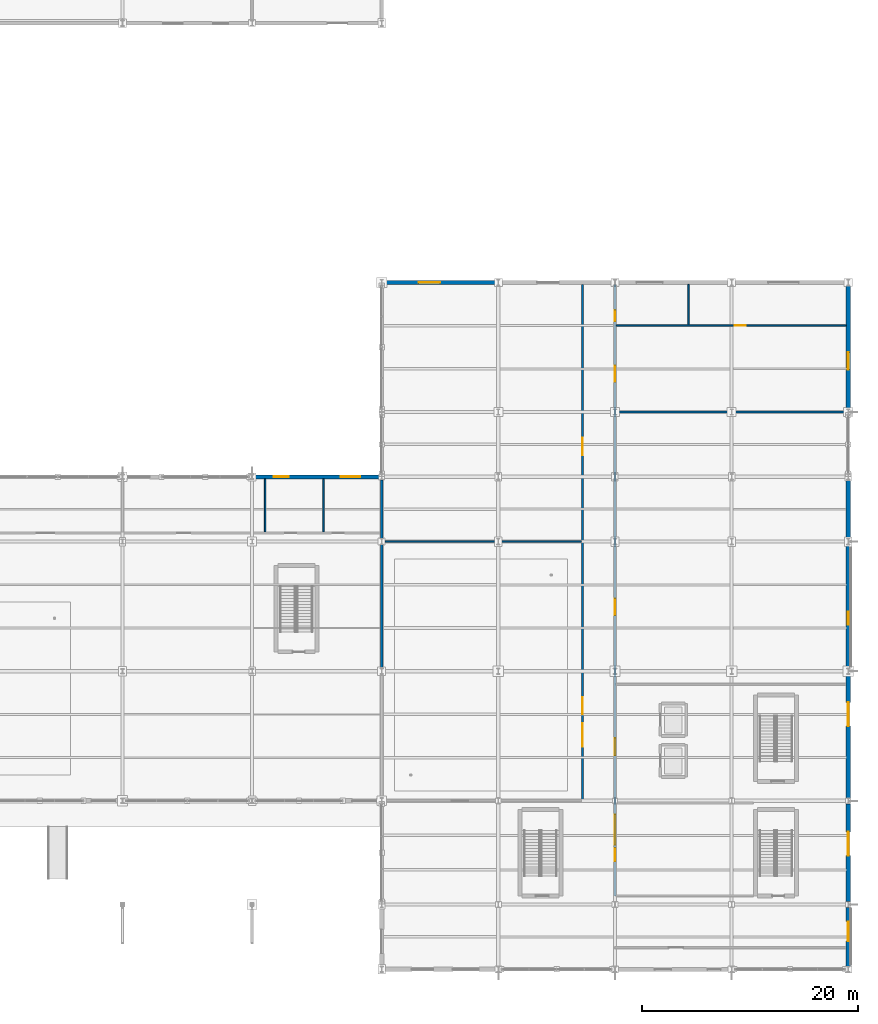
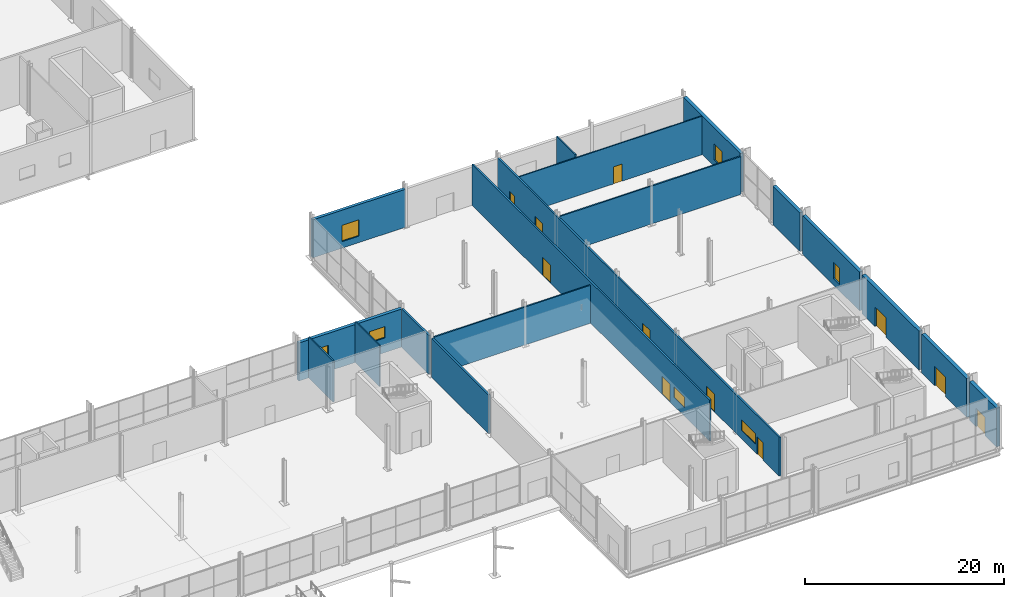
# One storey, part 175 of 196: 18 walls, 11 doors, 7 windows, 18 openings.
"""IFC4 building model written with IfcOpenShell, lengths in metres."""

import ifcopenshell
import ifcopenshell.guid

model = None  # the IFC model being written
_history = None  # IfcOwnerHistory: only IFC2X3 demands one
_inside = {}  # id of a spatial element -> (the spatial element, [elements in it])
_under = {}  # id of a project, library or spatial element -> (it, [spatial elements below it])
_declared = {}  # id of a project -> (the project, [libraries it declares])
_typed = {}  # id of a type object -> (the type object, [elements of that type])
_made_of = {}  # id of a material, layer set ... -> (it, [elements and type objects made of it])


def new_model(schema):
    """Start an empty IFC model of exactly this schema.

    Asked for "IFC4X3", IfcOpenShell would pick the latest addendum, in which some entities
    have other attributes; the version numbers below select the first issue.
    IFC2X3 requires an IfcOwnerHistory on every rooted entity: one is made here for all.
    """
    global model, _history
    if schema == "IFC4X3":
        model = ifcopenshell.file(schema_version=(4, 3, 0, 0))
    else:
        model = ifcopenshell.file(schema=schema)
    _inside.clear()
    _under.clear()
    _declared.clear()
    _typed.clear()
    _made_of.clear()
    _history = None
    if model.schema == "IFC2X3":
        org = make("IfcOrganization", Name="unknown")
        user = make(
            "IfcPersonAndOrganization",
            ThePerson=make("IfcPerson", FamilyName="unknown"),
            TheOrganization=org,
        )
        app = make(
            "IfcApplication",
            ApplicationDeveloper=org,
            Version="unknown",
            ApplicationFullName="unknown",
            ApplicationIdentifier="unknown",
        )
        _history = make(
            "IfcOwnerHistory",
            OwningUser=user,
            OwningApplication=app,
            ChangeAction="ADDED",
            CreationDate=0,
        )
    return model


def make(cls, **values):
    """One entity of the class cls with the attributes given. An attribute that is None is left unset."""
    return model.create_entity(
        cls, **{name: value for name, value in values.items() if value is not None}
    )


def rooted(cls, **values):
    """An entity with a GlobalId (a new one), such as an element, a storey or a relation."""
    return make(cls, GlobalId=ifcopenshell.guid.new(), OwnerHistory=_history, **values)


def si_unit(unit_type, name, prefix=None):
    """IfcSIUnit, for example si_unit("LENGTHUNIT", "METRE", prefix="MILLI")."""
    return make("IfcSIUnit", UnitType=unit_type, Prefix=prefix, Name=name)


def assignment(units):
    """IfcUnitAssignment: the units of a project."""
    return None if units is None else make("IfcUnitAssignment", Units=units)


def point(xyz):
    """IfcCartesianPoint."""
    return None if xyz is None else make("IfcCartesianPoint", Coordinates=xyz)


def direction(xyz):
    """IfcDirection."""
    return None if xyz is None else make("IfcDirection", DirectionRatios=xyz)


def frame(location, z_axis=None, x_axis=None):
    """IfcAxis2Placement3D, a coordinate frame: its origin and axes. An axis left out is left unset."""
    return make(
        "IfcAxis2Placement3D",
        Location=point(location),
        Axis=direction(z_axis),
        RefDirection=direction(x_axis),
    )


def frame_2d(location, x_axis=None):
    """IfcAxis2Placement2D, a coordinate frame in the plane: its origin and x axis."""
    return make(
        "IfcAxis2Placement2D", Location=point(location), RefDirection=direction(x_axis)
    )


def origin():
    """The frame at (0, 0, 0) with its axes left unset."""
    return frame((0.0, 0.0, 0.0))


def place(relative_to, where):
    """IfcLocalPlacement: puts the frame where relative to a parent placement (None: the world)."""
    return make(
        "IfcLocalPlacement", PlacementRelTo=relative_to, RelativePlacement=where
    )


def context(
    kind, dimensions, precision=None, world=None, true_north=None, identifier=None
):
    """IfcGeometricRepresentationContext, for example the 3D "Model" context."""
    return make(
        "IfcGeometricRepresentationContext",
        ContextIdentifier=identifier,
        ContextType=kind,
        CoordinateSpaceDimension=dimensions,
        Precision=precision,
        WorldCoordinateSystem=world,
        TrueNorth=true_north,
    )


def subcontext(parent, identifier, kind, view, scale=None):
    """IfcGeometricRepresentationSubContext, for example "Body" below "Model"."""
    return make(
        "IfcGeometricRepresentationSubContext",
        ContextIdentifier=identifier,
        ContextType=kind,
        ParentContext=parent,
        TargetScale=scale,
        TargetView=view,
    )


def project(units=None, contexts=None):
    """IfcProject with its units and contexts."""
    return rooted(
        "IfcProject",
        Name="project",
        RepresentationContexts=contexts,
        UnitsInContext=assignment(units),
    )


def spatial(cls, under=None, at=None, **own):
    """A site, building, storey or space (cls), placed at a placement, below another one or the project."""
    s = rooted(cls, ObjectPlacement=at, **own)
    if under is not None:
        _under.setdefault(under.id(), (under, []))[1].append(s)
    return s


def profile(cls, at=None, kind="AREA", **sizes):
    """A parametric profile (cls). Its sizes go by their IFC names, for example OverallWidth=200.0."""
    return make(cls, ProfileType=kind, Position=at, **sizes)


def rectangle(**sizes):
    """IfcRectangleProfileDef."""
    return profile("IfcRectangleProfileDef", **sizes)


def extrude(swept, where, along, depth):
    """IfcExtrudedAreaSolid: the profile swept, set in the frame where, extruded along a direction by depth."""
    return make(
        "IfcExtrudedAreaSolid",
        SweptArea=swept,
        Position=where,
        ExtrudedDirection=direction(along),
        Depth=depth,
    )


def shape(context_of_items, identifier, shape_type, items):
    """IfcShapeRepresentation: the items that make up one representation, for example the "Body"."""
    return make(
        "IfcShapeRepresentation",
        ContextOfItems=context_of_items,
        RepresentationIdentifier=identifier,
        RepresentationType=shape_type,
        Items=items,
    )


def material(Name=None, Category=None):
    """IfcMaterial."""
    return make("IfcMaterial", Name=Name, Category=Category)


def layer(
    of_material, thickness, ventilated=None, Name=None, Category=None, Priority=None
):
    """IfcMaterialLayer: one layer of a wall or slab, of a material (None: an air gap)."""
    return make(
        "IfcMaterialLayer",
        Material=of_material,
        LayerThickness=thickness,
        IsVentilated=ventilated,
        Name=Name,
        Category=Category,
        Priority=Priority,
    )


def layer_set(layers, Name=None):
    """IfcMaterialLayerSet."""
    return make("IfcMaterialLayerSet", MaterialLayers=layers, LayerSetName=Name)


def made_of(thing, what):
    """Note that an element or type object is made of a material, layer set ...; save() writes the relation."""
    if what is not None:
        _made_of.setdefault(what.id(), (what, []))[1].append(thing)
    return thing


def type_object(cls, material=None, **own):
    """A type object (cls), such as IfcWallType, which elements share."""
    return made_of(rooted(cls, **own), material)


def element(
    cls,
    number,
    at=None,
    inside=None,
    cuts=None,
    type_object=None,
    material=None,
    context=None,
    identifier="Body",
    shape_type=None,
    held_by="IfcProductDefinitionShape",
    body=None,
    shapes=None,
    **own,
):
    """One element of the class cls, such as IfcWall. Its Tag is "e" and its number.

    at: its placement. inside: the storey or other place that contains it. cuts: it is an
    opening in that element (IfcRelVoidsElement). A single representation is given by context,
    identifier, shape_type and body (its items); several are given by shapes. held_by: the class
    of the entity that holds the representations. save() writes the other relations.
    """
    e = rooted(cls, Tag="e%d" % number, ObjectPlacement=at, **own)
    if body is not None:
        shapes = [shape(context, identifier, shape_type, body)]
    if shapes is not None:
        e.Representation = make(held_by, Representations=shapes)
    if inside is not None:
        _inside.setdefault(inside.id(), (inside, []))[1].append(e)
    if cuts is not None:
        rooted(
            "IfcRelVoidsElement", RelatingBuildingElement=cuts, RelatedOpeningElement=e
        )
    if type_object is not None:
        _typed.setdefault(type_object.id(), (type_object, []))[1].append(e)
    return made_of(e, material)


def fill(opening, filler):
    """IfcRelFillsElement: the door or window that sits in an opening."""
    return rooted(
        "IfcRelFillsElement",
        RelatingOpeningElement=opening,
        RelatedBuildingElement=filler,
    )


def aggregate(whole, parts):
    """IfcRelAggregates: a whole, such as a stair, and the parts it consists of."""
    return rooted("IfcRelAggregates", RelatingObject=whole, RelatedObjects=parts)


def save(model, path):
    """Write the relations noted so far, then the file.

    IfcRelAggregates (storeys below a building ...), IfcRelContainedInSpatialStructure (elements
    in a storey), IfcRelDefinesByType, IfcRelAssociatesMaterial and IfcRelDeclares: one each for
    every whole, place, type object, material and project.
    """
    for whole, parts in _under.values():
        aggregate(whole, parts)
    for where, things in _inside.values():
        rooted(
            "IfcRelContainedInSpatialStructure",
            RelatedElements=things,
            RelatingStructure=where,
        )
    for kind, things in _typed.values():
        rooted("IfcRelDefinesByType", RelatedObjects=things, RelatingType=kind)
    for what, things in _made_of.values():
        rooted("IfcRelAssociatesMaterial", RelatedObjects=things, RelatingMaterial=what)
    for by, libraries in _declared.values():
        rooted("IfcRelDeclares", RelatingContext=by, RelatedDefinitions=libraries)
    model.write(path)


model = new_model("IFC4")

# Units and contexts
model_context = context("Model", 3, precision=1e-05, world=origin(), true_north=direction((0.0, 1.0)))
body_context = subcontext(model_context, "Body", "Model", "MODEL_VIEW")
ifc_project = project(units=[si_unit("LENGTHUNIT", "METRE"), si_unit("AREAUNIT", "SQUARE_METRE"), si_unit("VOLUMEUNIT", "CUBIC_METRE"), si_unit("PLANEANGLEUNIT", "RADIAN"), si_unit("MASSUNIT", "GRAM", prefix="KILO")], contexts=[model_context])

# Site, building, storey
site_placement = place(None, origin())
site = spatial("IfcSite", under=ifc_project, at=site_placement, CompositionType="ELEMENT")
building_placement = place(site_placement, origin())
building = spatial("IfcBuilding", under=site, at=building_placement, Name="Merenkruunu Market Hall", CompositionType="ELEMENT")
storey_placement = place(building_placement, origin())
storey = spatial("IfcBuildingStorey", under=building, at=storey_placement, Name="L00", CompositionType="ELEMENT", Elevation=0.0)

# Wall, opening, door
ifc_material_1 = material(Name="Kuru grey granite", Category="masonry")
ifc_layer_1 = layer(ifc_material_1, 0.419921875)
ifc_layer_set_1 = layer_set([ifc_layer_1], Name="Kuru grey granite")
wall_type_1 = type_object("IfcWallType", Name="Exterior Envelope Wall EW01", PredefinedType="STANDARD", material=ifc_layer_set_1)
wall_1_placement = place(storey_placement, frame((192.0, 5.720947265625, 0.0), z_axis=(0.0, 0.0, 1.0), x_axis=(0.0, -1.0, 0.0)))
wall_1 = element("IfcWall", 1, at=wall_1_placement, inside=storey, type_object=wall_type_1, Name="WALL-EXT-L00-0059", PredefinedType="STANDARD", context=body_context, shape_type="SweptSolid", body=[
    extrude(rectangle(XDim=5.44189453125, YDim=0.419921875, at=frame_2d((2.720947265625, 0.0))), origin(), (0.0, 0.0, 1.0), 4.764892578125),
])
opening_1_placement = place(wall_1_placement, frame((1.300048828125, 0.0, 0.0)))
opening_1 = element("IfcOpeningElement", 2, at=opening_1_placement, cuts=wall_1, Name="Opening EXD04", PredefinedType="OPENING", context=body_context, shape_type="SweptSolid", body=[
    extrude(rectangle(XDim=1.800048828125, YDim=2.300048828125, at=frame_2d((0.89990234375, 1.14990234375))), frame((0.0, 0.219970703125, 0.0), z_axis=(0.0, -1.0, 0.0), x_axis=(1.0, 0.0, 0.0)), (0.0, 0.0, 1.0), 0.43994140625),
])
ifc_material_2 = material(Name="Powder-coated aluminium", Category="aluminium")
door_type_1 = type_object("IfcDoorType", Name="Pedestrian Exit Door EXD04", OperationType="NOTDEFINED", PredefinedType="DOOR", material=ifc_material_2)
door_1_placement = place(opening_1_placement, origin())
door_1 = element("IfcDoor", 3, at=door_1_placement, inside=storey, type_object=door_type_1, Name="EX-27", OperationType="DOUBLE_DOOR_SINGLE_SWING", OverallHeight=2.300048828125, OverallWidth=1.800048828125, PredefinedType="DOOR", context=body_context, shape_type="SweptSolid", body=[
    extrude(rectangle(XDim=1.800048828125, YDim=2.300048828125, at=frame_2d((0.89990234375, 1.14990234375))), frame((0.0, 0.02490234375, 0.0), z_axis=(0.0, -1.0, 0.0), x_axis=(1.0, 0.0, 0.0)), (0.0, 0.0, 1.0), 0.050048828125),
])
fill(opening_1, door_1)

wall_2_placement = place(storey_placement, frame((192.0, 15.321044921875, 0.0), z_axis=(0.0, 0.0, 1.0), x_axis=(0.0, -1.0, 0.0)))
wall_2 = element("IfcWall", 4, at=wall_2_placement, inside=storey, type_object=wall_type_1, Name="WALL-EXT-L00-0060", PredefinedType="STANDARD", context=body_context, shape_type="SweptSolid", body=[
    extrude(rectangle(XDim=9.0419921875, YDim=0.419921875, at=frame_2d((4.52099609375, 0.0))), origin(), (0.0, 0.0, 1.0), 4.764892578125),
])
opening_2_placement = place(wall_2_placement, frame((2.60009765625, 0.0, 0.0)))
opening_2 = element("IfcOpeningElement", 5, at=opening_2_placement, cuts=wall_2, Name="Opening EXD02", PredefinedType="OPENING", context=body_context, shape_type="SweptSolid", body=[
    extrude(rectangle(XDim=2.199951171875, YDim=2.39990234375, at=frame_2d((1.10009765625, 1.199951171875))), frame((0.0, 0.219970703125, 0.0), z_axis=(0.0, -1.0, 0.0), x_axis=(1.0, 0.0, 0.0)), (0.0, 0.0, 1.0), 0.43994140625),
])
door_type_2 = type_object("IfcDoorType", Name="Pedestrian Exit Door EXD02", OperationType="NOTDEFINED", PredefinedType="DOOR", material=ifc_material_2)
door_2_placement = place(opening_2_placement, origin())
door_2 = element("IfcDoor", 6, at=door_2_placement, inside=storey, type_object=door_type_2, Name="EX-28", OperationType="DOUBLE_DOOR_SINGLE_SWING", OverallHeight=2.39990234375, OverallWidth=2.199951171875, PredefinedType="DOOR", context=body_context, shape_type="SweptSolid", body=[
    extrude(rectangle(XDim=2.199951171875, YDim=2.39990234375, at=frame_2d((1.10009765625, 1.199951171875))), frame((0.0, 0.02490234375, 0.0), z_axis=(0.0, -1.0, 0.0), x_axis=(1.0, 0.0, 0.0)), (0.0, 0.0, 1.0), 0.050048828125),
])
fill(opening_2, door_2)

wall_3_placement = place(storey_placement, frame((192.0, 27.321044921875, 0.0), z_axis=(0.0, 0.0, 1.0), x_axis=(0.0, -1.0, 0.0)))
wall_3 = element("IfcWall", 7, at=wall_3_placement, inside=storey, type_object=wall_type_1, Name="WALL-EXT-L00-0061", PredefinedType="STANDARD", context=body_context, shape_type="SweptSolid", body=[
    extrude(rectangle(XDim=11.442138671875, YDim=0.419921875, at=frame_2d((5.72119140625, 0.0))), origin(), (0.0, 0.0, 1.0), 4.764892578125),
])
opening_3_placement = place(wall_3_placement, frame((2.60009765625, 0.0, 0.0)))
opening_3 = element("IfcOpeningElement", 8, at=opening_3_placement, cuts=wall_3, Name="Opening EXD02", PredefinedType="OPENING", context=body_context, shape_type="SweptSolid", body=[
    extrude(rectangle(XDim=2.199951171875, YDim=2.39990234375, at=frame_2d((1.10009765625, 1.199951171875))), frame((0.0, 0.219970703125, 0.0), z_axis=(0.0, -1.0, 0.0), x_axis=(1.0, 0.0, 0.0)), (0.0, 0.0, 1.0), 0.43994140625),
])
door_3_placement = place(opening_3_placement, origin())
door_3 = element("IfcDoor", 9, at=door_3_placement, inside=storey, type_object=door_type_2, Name="EX-29", OperationType="DOUBLE_DOOR_SINGLE_SWING", OverallHeight=2.39990234375, OverallWidth=2.199951171875, PredefinedType="DOOR", context=body_context, shape_type="SweptSolid", body=[
    extrude(rectangle(XDim=2.199951171875, YDim=2.39990234375, at=frame_2d((1.10009765625, 1.199951171875))), frame((0.0, 0.02490234375, 0.0), z_axis=(0.0, -1.0, 0.0), x_axis=(1.0, 0.0, 0.0)), (0.0, 0.0, 1.0), 0.050048828125),
])
fill(opening_3, door_3)

# Wall, openings, windows
ifc_material_3 = material(Name="Precast concrete C40/50", Category="concrete")
ifc_layer_2 = layer(ifc_material_3, 0.3798828125)
ifc_layer_set_2 = layer_set([ifc_layer_2], Name="Precast concrete C40/50")
wall_type_2 = type_object("IfcWallType", Name="Exterior Envelope Wall EW02", PredefinedType="STANDARD", material=ifc_layer_set_2)
wall_4_placement = place(storey_placement, frame((136.809814453125, 45.60009765625, 0.0), z_axis=(0.0, 0.0, 1.0), x_axis=(1.0, 0.0, 0.0)))
wall_4 = element("IfcWall", 10, at=wall_4_placement, inside=storey, type_object=wall_type_2, Name="WALL-EXT-L00-0038", PredefinedType="STANDARD", context=body_context, shape_type="SweptSolid", body=[
    extrude(rectangle(XDim=11.97998046875, YDim=0.3798828125, at=frame_2d((5.989990234375, 0.0))), origin(), (0.0, 0.0, 1.0), 4.6650390625),
])
opening_4_placement = place(wall_4_placement, frame((2.0, 0.0, 1.800048828125)))
opening_4 = element("IfcOpeningElement", 11, at=opening_4_placement, cuts=wall_4, Name="Opening WN13", PredefinedType="OPENING", context=body_context, shape_type="SweptSolid", body=[
    extrude(rectangle(XDim=1.39990234375, YDim=1.39990234375, at=frame_2d((0.699951171875, 0.699951171875))), frame((0.0, 0.199951171875, 0.0), z_axis=(0.0, -1.0, 0.0), x_axis=(1.0, 0.0, 0.0)), (0.0, 0.0, 1.0), 0.39990234375),
])
opening_5_placement = place(wall_4_placement, frame((8.199951171875, 0.0, 1.800048828125)))
opening_5 = element("IfcOpeningElement", 12, at=opening_5_placement, cuts=wall_4, Name="Opening WN14", PredefinedType="OPENING", context=body_context, shape_type="SweptSolid", body=[
    extrude(rectangle(XDim=1.800048828125, YDim=1.39990234375, at=frame_2d((0.89990234375, 0.699951171875))), frame((0.0, 0.199951171875, 0.0), z_axis=(0.0, -1.0, 0.0), x_axis=(1.0, 0.0, 0.0)), (0.0, 0.0, 1.0), 0.39990234375),
])
ifc_material_4 = material(Name="Triple low-E insulated glass", Category="glass")
ifc_layer_3 = layer(ifc_material_4, 0.06005859375)
ifc_layer_set_3 = layer_set([ifc_layer_3], Name="Triple low-E insulated glass")
window_type_1 = type_object("IfcWindowType", Name="Exterior Window WN13", PartitioningType="SINGLE_PANEL", PredefinedType="WINDOW", material=ifc_layer_set_3)
window_1_placement = place(opening_4_placement, origin())
window_1 = element("IfcWindow", 13, at=window_1_placement, inside=storey, type_object=window_type_1, Name="WIN-L00-0010", OverallHeight=1.39990234375, OverallWidth=1.39990234375, PartitioningType="SINGLE_PANEL", PredefinedType="WINDOW", context=body_context, shape_type="SweptSolid", body=[
    extrude(rectangle(XDim=1.39990234375, YDim=1.39990234375, at=frame_2d((0.699951171875, 0.699951171875))), frame((0.0, 0.030029296875, 0.0), z_axis=(0.0, -1.0, 0.0), x_axis=(1.0, 0.0, 0.0)), (0.0, 0.0, 1.0), 0.06005859375),
])
fill(opening_4, window_1)
ifc_layer_4 = layer(ifc_material_4, 0.06005859375)
ifc_layer_set_4 = layer_set([ifc_layer_4], Name="Triple low-E insulated glass")
window_type_2 = type_object("IfcWindowType", Name="Exterior Window WN14", PartitioningType="SINGLE_PANEL", PredefinedType="WINDOW", material=ifc_layer_set_4)
window_2_placement = place(opening_5_placement, origin())
window_2 = element("IfcWindow", 14, at=window_2_placement, inside=storey, type_object=window_type_2, Name="WIN-L00-0011", OverallHeight=1.39990234375, OverallWidth=1.800048828125, PartitioningType="SINGLE_PANEL", PredefinedType="WINDOW", context=body_context, shape_type="SweptSolid", body=[
    extrude(rectangle(XDim=1.800048828125, YDim=1.39990234375, at=frame_2d((0.89990234375, 0.699951171875))), frame((0.0, 0.030029296875, 0.0), z_axis=(0.0, -1.0, 0.0), x_axis=(1.0, 0.0, 0.0)), (0.0, 0.0, 1.0), 0.06005859375),
])
fill(opening_5, window_2)

# Wall, opening, window
wall_5_placement = place(storey_placement, frame((192.0, 39.321044921875, 0.0), z_axis=(0.0, 0.0, 1.0), x_axis=(0.0, -1.0, 0.0)))
wall_5 = element("IfcWall", 15, at=wall_5_placement, inside=storey, type_object=wall_type_2, Name="WALL-EXT-L00-0062", PredefinedType="STANDARD", context=body_context, shape_type="SweptSolid", body=[
    extrude(rectangle(XDim=11.442138671875, YDim=0.3798828125, at=frame_2d((5.72119140625, 0.0))), origin(), (0.0, 0.0, 1.0), 4.764892578125),
])
opening_6_placement = place(wall_5_placement, frame((6.199951171875, 0.0, 0.800048828125)))
opening_6 = element("IfcOpeningElement", 16, at=opening_6_placement, cuts=wall_5, Name="Opening WN08", PredefinedType="OPENING", context=body_context, shape_type="SweptSolid", body=[
    extrude(rectangle(XDim=1.199951171875, YDim=2.0, at=frame_2d((0.60009765625, 1.0))), frame((0.0, 0.199951171875, 0.0), z_axis=(0.0, -1.0, 0.0), x_axis=(1.0, 0.0, 0.0)), (0.0, 0.0, 1.0), 0.39990234375),
])
ifc_layer_5 = layer(ifc_material_4, 0.06005859375)
ifc_layer_set_5 = layer_set([ifc_layer_5], Name="Triple low-E insulated glass")
window_type_3 = type_object("IfcWindowType", Name="Exterior Window WN08", PartitioningType="SINGLE_PANEL", PredefinedType="WINDOW", material=ifc_layer_set_5)
window_3_placement = place(opening_6_placement, origin())
window_3 = element("IfcWindow", 17, at=window_3_placement, inside=storey, type_object=window_type_3, Name="WIN-L00-0022", OverallHeight=2.0, OverallWidth=1.199951171875, PartitioningType="SINGLE_PANEL", PredefinedType="WINDOW", context=body_context, shape_type="SweptSolid", body=[
    extrude(rectangle(XDim=1.199951171875, YDim=2.0, at=frame_2d((0.60009765625, 1.0))), frame((0.0, 0.030029296875, 0.0), z_axis=(0.0, -1.0, 0.0), x_axis=(1.0, 0.0, 0.0)), (0.0, 0.0, 1.0), 0.06005859375),
])
fill(opening_6, window_3)

# Wall
wall_6_placement = place(storey_placement, frame((192.0, 45.325927734375, 0.0), z_axis=(0.0, 0.0, 1.0), x_axis=(0.0, -1.0, 0.0)))
element("IfcWall", 18, at=wall_6_placement, inside=storey, type_object=wall_type_2, Name="WALL-EXT-L00-0063", PredefinedType="STANDARD", context=body_context, shape_type="SweptSolid", body=[
    extrude(rectangle(XDim=5.447021484375, YDim=0.3798828125, at=frame_2d((2.7236328125, 0.0))), origin(), (0.0, 0.0, 1.0), 4.764892578125),
])

# Wall, opening, window
wall_7_placement = place(storey_placement, frame((192.0, 63.325927734375, 0.0), z_axis=(0.0, 0.0, 1.0), x_axis=(0.0, -1.0, 0.0)))
wall_7 = element("IfcWall", 19, at=wall_7_placement, inside=storey, type_object=wall_type_2, Name="WALL-EXT-L00-0064", PredefinedType="STANDARD", context=body_context, shape_type="SweptSolid", body=[
    extrude(rectangle(XDim=11.451904296875, YDim=0.3798828125, at=frame_2d((5.72607421875, 0.0))), origin(), (0.0, 0.0, 1.0), 4.764892578125),
])
opening_7_placement = place(wall_7_placement, frame((6.199951171875, 0.0, 0.800048828125)))
opening_7 = element("IfcOpeningElement", 20, at=opening_7_placement, cuts=wall_7, Name="Opening WN09", PredefinedType="OPENING", context=body_context, shape_type="SweptSolid", body=[
    extrude(rectangle(XDim=1.60009765625, YDim=2.0, at=frame_2d((0.800048828125, 1.0))), frame((0.0, 0.199951171875, 0.0), z_axis=(0.0, -1.0, 0.0), x_axis=(1.0, 0.0, 0.0)), (0.0, 0.0, 1.0), 0.39990234375),
])
ifc_layer_6 = layer(ifc_material_4, 0.06005859375)
ifc_layer_set_6 = layer_set([ifc_layer_6], Name="Triple low-E insulated glass")
window_type_4 = type_object("IfcWindowType", Name="Exterior Window WN09", PartitioningType="SINGLE_PANEL", PredefinedType="WINDOW", material=ifc_layer_set_6)
window_4_placement = place(opening_7_placement, origin())
window_4 = element("IfcWindow", 21, at=window_4_placement, inside=storey, type_object=window_type_4, Name="WIN-L00-0023", OverallHeight=2.0, OverallWidth=1.60009765625, PartitioningType="SINGLE_PANEL", PredefinedType="WINDOW", context=body_context, shape_type="SweptSolid", body=[
    extrude(rectangle(XDim=1.60009765625, YDim=2.0, at=frame_2d((0.800048828125, 1.0))), frame((0.0, 0.030029296875, 0.0), z_axis=(0.0, -1.0, 0.0), x_axis=(1.0, 0.0, 0.0)), (0.0, 0.0, 1.0), 0.06005859375),
])
fill(opening_7, window_4)

ifc_layer_7 = layer(ifc_material_3, 0.340087890625)
ifc_layer_set_7 = layer_set([ifc_layer_7], Name="Precast concrete C40/50")
wall_type_3 = type_object("IfcWallType", Name="Exterior Envelope Wall EW03", PredefinedType="STANDARD", material=ifc_layer_set_7)
wall_8_placement = place(storey_placement, frame((148.810302734375, 63.60009765625, 0.0), z_axis=(0.0, 0.0, 1.0), x_axis=(1.0, 0.0, 0.0)))
wall_8 = element("IfcWall", 22, at=wall_8_placement, inside=storey, type_object=wall_type_3, Name="WALL-EXT-L00-0065", PredefinedType="STANDARD", context=body_context, shape_type="SweptSolid", body=[
    extrude(rectangle(XDim=10.779296875, YDim=0.340087890625, at=frame_2d((5.3896484375, 0.0))), origin(), (0.0, 0.0, 1.0), 4.6650390625),
])
opening_8_placement = place(wall_8_placement, frame((3.39990234375, 0.0, 0.800048828125)))
opening_8 = element("IfcOpeningElement", 23, at=opening_8_placement, cuts=wall_8, Name="Opening WN10", PredefinedType="OPENING", context=body_context, shape_type="SweptSolid", body=[
    extrude(rectangle(XDim=2.0, YDim=2.0, at=frame_2d((1.0, 1.0))), frame((0.0, 0.18017578125, 0.0), z_axis=(0.0, -1.0, 0.0), x_axis=(1.0, 0.0, 0.0)), (0.0, 0.0, 1.0), 0.360107421875),
])
ifc_layer_8 = layer(ifc_material_4, 0.06005859375)
ifc_layer_set_8 = layer_set([ifc_layer_8], Name="Triple low-E insulated glass")
window_type_5 = type_object("IfcWindowType", Name="Exterior Window WN10", PartitioningType="SINGLE_PANEL", PredefinedType="WINDOW", material=ifc_layer_set_8)
window_5_placement = place(opening_8_placement, origin())
window_5 = element("IfcWindow", 24, at=window_5_placement, inside=storey, type_object=window_type_5, Name="WIN-L00-0024", OverallHeight=2.0, OverallWidth=2.0, PartitioningType="SINGLE_PANEL", PredefinedType="WINDOW", context=body_context, shape_type="SweptSolid", body=[
    extrude(rectangle(XDim=2.0, YDim=2.0, at=frame_2d((1.0, 1.0))), frame((0.0, 0.030029296875, 0.0), z_axis=(0.0, -1.0, 0.0), x_axis=(1.0, 0.0, 0.0)), (0.0, 0.0, 1.0), 0.06005859375),
])
fill(opening_8, window_5)

# Walls
ifc_material_5 = material(Name="Acoustic mineral wool panel")
ifc_layer_9 = layer(ifc_material_5, 0.219970703125)
ifc_layer_set_9 = layer_set([ifc_layer_9], Name="Acoustic mineral wool panel")
wall_type_4 = type_object("IfcWallType", Name="Interior Partition Wall FW01", PredefinedType="PARTITIONING", material=ifc_layer_set_9)
wall_9_placement = place(storey_placement, frame((148.800048828125, 27.8798828125, 0.0), z_axis=(0.0, 0.0, 1.0), x_axis=(0.0, 1.0, 0.0)))
element("IfcWall", 25, at=wall_9_placement, inside=storey, type_object=wall_type_4, Name="WALL-EXT-L00-0071", PredefinedType="PARTITIONING", context=body_context, shape_type="SweptSolid", body=[
    extrude(rectangle(XDim=11.440185546875, YDim=0.219970703125, at=frame_2d((5.72021484375, 0.0))), origin(), (0.0, 0.0, 1.0), 4.764892578125),
])
wall_10_placement = place(storey_placement, frame((148.800048828125, 39.8798828125, 0.0), z_axis=(0.0, 0.0, 1.0), x_axis=(0.0, 1.0, 0.0)))
element("IfcWall", 26, at=wall_10_placement, inside=storey, type_object=wall_type_4, Name="WALL-EXT-L00-0072", PredefinedType="PARTITIONING", context=body_context, shape_type="SweptSolid", body=[
    extrude(rectangle(XDim=5.440185546875, YDim=0.219970703125, at=frame_2d((2.72021484375, 0.0))), origin(), (0.0, 0.0, 1.0), 4.764892578125),
])

# Wall, openings, doors, window
ifc_material_6 = material(Name="Gypsum fire compartment board")
ifc_layer_10 = layer(ifc_material_6, 0.199951171875)
ifc_layer_set_10 = layer_set([ifc_layer_10], Name="Gypsum fire compartment board")
wall_type_5 = type_object("IfcWallType", Name="Interior Partition Wall FW02", PredefinedType="PARTITIONING", material=ifc_layer_set_10)
wall_11_placement = place(storey_placement, frame((167.39990234375, 15.60009765625, 0.0), z_axis=(0.0, 0.0, 1.0), x_axis=(0.0, 1.0, 0.0)))
wall_11 = element("IfcWall", 27, at=wall_11_placement, inside=storey, type_object=wall_type_5, Name="WALL-INT-L00-0043", PredefinedType="PARTITIONING", context=body_context, shape_type="SweptSolid", body=[
    extrude(rectangle(XDim=47.827880859375, YDim=0.199951171875, at=frame_2d((23.9140625, 0.0))), origin(), (0.0, 0.0, 1.0), 5.0400390625),
])
opening_9_placement = place(wall_11_placement, frame((8.0, 0.0, 0.0)))
opening_9 = element("IfcOpeningElement", 28, at=opening_9_placement, cuts=wall_11, Name="Opening FD05", PredefinedType="OPENING", context=body_context, shape_type="SweptSolid", body=[
    extrude(rectangle(XDim=1.60009765625, YDim=2.199951171875, at=frame_2d((0.800048828125, 1.10009765625))), frame((0.0, 0.10986328125, 0.0), z_axis=(0.0, -1.0, 0.0), x_axis=(1.0, 0.0, 0.0)), (0.0, 0.0, 1.0), 0.219970703125),
])
opening_10_placement = place(wall_11_placement, frame((32.0, 0.0, 0.0)))
opening_10 = element("IfcOpeningElement", 29, at=opening_10_placement, cuts=wall_11, Name="Opening FD05", PredefinedType="OPENING", context=body_context, shape_type="SweptSolid", body=[
    extrude(rectangle(XDim=1.60009765625, YDim=2.199951171875, at=frame_2d((0.800048828125, 1.10009765625))), frame((0.0, 0.10986328125, 0.0), z_axis=(0.0, -1.0, 0.0), x_axis=(1.0, 0.0, 0.0)), (0.0, 0.0, 1.0), 0.219970703125),
])
opening_11_placement = place(wall_11_placement, frame((5.0, 0.0, 1.050048828125)))
opening_11 = element("IfcOpeningElement", 30, at=opening_11_placement, cuts=wall_11, Name="Opening WN21", PredefinedType="OPENING", context=body_context, shape_type="SweptSolid", body=[
    extrude(rectangle(XDim=2.199951171875, YDim=1.300048828125, at=frame_2d((1.10009765625, 0.64990234375))), frame((0.0, 0.10986328125, 0.0), z_axis=(0.0, -1.0, 0.0), x_axis=(1.0, 0.0, 0.0)), (0.0, 0.0, 1.0), 0.219970703125),
])
door_type_3 = type_object("IfcDoorType", Name="Fire Compartment Door FD05", OperationType="NOTDEFINED", PredefinedType="DOOR", material=ifc_material_2)
door_4_placement = place(opening_9_placement, origin())
door_4 = element("IfcDoor", 31, at=door_4_placement, inside=storey, type_object=door_type_3, Name="DR-L00-047", OperationType="SINGLE_SWING_LEFT", OverallHeight=2.199951171875, OverallWidth=1.60009765625, PredefinedType="DOOR", context=body_context, shape_type="SweptSolid", body=[
    extrude(rectangle(XDim=1.60009765625, YDim=2.199951171875, at=frame_2d((0.800048828125, 1.10009765625))), frame((0.0, 0.02490234375, 0.0), z_axis=(0.0, -1.0, 0.0), x_axis=(1.0, 0.0, 0.0)), (0.0, 0.0, 1.0), 0.050048828125),
])
fill(opening_9, door_4)
door_5_placement = place(opening_10_placement, origin())
door_5 = element("IfcDoor", 32, at=door_5_placement, inside=storey, type_object=door_type_3, Name="DR-L00-048", OperationType="SINGLE_SWING_RIGHT", OverallHeight=2.199951171875, OverallWidth=1.60009765625, PredefinedType="DOOR", context=body_context, shape_type="SweptSolid", body=[
    extrude(rectangle(XDim=1.60009765625, YDim=2.199951171875, at=frame_2d((0.800048828125, 1.10009765625))), frame((0.0, 0.02490234375, 0.0), z_axis=(0.0, -1.0, 0.0), x_axis=(1.0, 0.0, 0.0)), (0.0, 0.0, 1.0), 0.050048828125),
])
fill(opening_10, door_5)
ifc_material_7 = material(Name="Laminated safety glass", Category="glass")
ifc_layer_11 = layer(ifc_material_7, 0.06005859375)
ifc_layer_set_11 = layer_set([ifc_layer_11], Name="Laminated safety glass")
window_type_6 = type_object("IfcWindowType", Name="Internal Observation Window WN21", PartitioningType="SINGLE_PANEL", PredefinedType="WINDOW", material=ifc_layer_set_11)
window_6_placement = place(opening_11_placement, origin())
window_6 = element("IfcWindow", 33, at=window_6_placement, inside=storey, type_object=window_type_6, Name="WIN-INT-L00-01", OverallHeight=1.300048828125, OverallWidth=2.199951171875, PartitioningType="SINGLE_PANEL", PredefinedType="WINDOW", context=body_context, shape_type="SweptSolid", body=[
    extrude(rectangle(XDim=2.199951171875, YDim=1.300048828125, at=frame_2d((1.10009765625, 0.64990234375))), frame((0.0, 0.030029296875, 0.0), z_axis=(0.0, -1.0, 0.0), x_axis=(1.0, 0.0, 0.0)), (0.0, 0.0, 1.0), 0.06005859375),
])
fill(opening_11, window_6)

wall_12_placement = place(storey_placement, frame((170.39990234375, 6.800048828125, 0.0), z_axis=(0.0, 0.0, 1.0), x_axis=(0.0, 1.0, 0.0)))
wall_12 = element("IfcWall", 34, at=wall_12_placement, inside=storey, type_object=wall_type_5, Name="WALL-INT-L00-0046", PredefinedType="PARTITIONING", context=body_context, shape_type="SweptSolid", body=[
    extrude(rectangle(XDim=56.6279296875, YDim=0.199951171875, at=frame_2d((28.31396484375, 0.0))), origin(), (0.0, 0.0, 1.0), 4.764892578125),
])
opening_12_placement = place(wall_12_placement, frame((3.199951171875, 0.0, 0.0)))
opening_12 = element("IfcOpeningElement", 35, at=opening_12_placement, cuts=wall_12, Name="Opening D11", PredefinedType="OPENING", context=body_context, shape_type="SweptSolid", body=[
    extrude(rectangle(XDim=1.219970703125, YDim=2.14990234375, at=frame_2d((0.60986328125, 1.074951171875))), frame((0.0, 0.10986328125, 0.0), z_axis=(0.0, -1.0, 0.0), x_axis=(1.0, 0.0, 0.0)), (0.0, 0.0, 1.0), 0.219970703125),
])
opening_13_placement = place(wall_12_placement, frame((13.0, 0.0, 0.0)))
opening_13 = element("IfcOpeningElement", 36, at=opening_13_placement, cuts=wall_12, Name="Opening FD05", PredefinedType="OPENING", context=body_context, shape_type="SweptSolid", body=[
    extrude(rectangle(XDim=1.60009765625, YDim=2.199951171875, at=frame_2d((0.800048828125, 1.10009765625))), frame((0.0, 0.10986328125, 0.0), z_axis=(0.0, -1.0, 0.0), x_axis=(1.0, 0.0, 0.0)), (0.0, 0.0, 1.0), 0.219970703125),
])
opening_14_placement = place(wall_12_placement, frame((26.0, 0.0, 0.0)))
opening_14 = element("IfcOpeningElement", 37, at=opening_14_placement, cuts=wall_12, Name="Opening D06", PredefinedType="OPENING", context=body_context, shape_type="SweptSolid", body=[
    extrude(rectangle(XDim=1.5, YDim=2.14990234375, at=frame_2d((0.75, 1.074951171875))), frame((0.0, 0.10986328125, 0.0), z_axis=(0.0, -1.0, 0.0), x_axis=(1.0, 0.0, 0.0)), (0.0, 0.0, 1.0), 0.219970703125),
])
opening_15_placement = place(wall_12_placement, frame((47.60009765625, 0.0, 0.0)))
opening_15 = element("IfcOpeningElement", 38, at=opening_15_placement, cuts=wall_12, Name="Opening D06", PredefinedType="OPENING", context=body_context, shape_type="SweptSolid", body=[
    extrude(rectangle(XDim=1.5, YDim=2.14990234375, at=frame_2d((0.75, 1.074951171875))), frame((0.0, 0.10986328125, 0.0), z_axis=(0.0, -1.0, 0.0), x_axis=(1.0, 0.0, 0.0)), (0.0, 0.0, 1.0), 0.219970703125),
])
opening_16_placement = place(wall_12_placement, frame((53.199951171875, 0.0, 0.0)))
opening_16 = element("IfcOpeningElement", 39, at=opening_16_placement, cuts=wall_12, Name="Opening D08", PredefinedType="OPENING", context=body_context, shape_type="SweptSolid", body=[
    extrude(rectangle(XDim=1.02001953125, YDim=2.1201171875, at=frame_2d((0.510009765625, 1.06005859375))), frame((0.0, 0.10986328125, 0.0), z_axis=(0.0, -1.0, 0.0), x_axis=(1.0, 0.0, 0.0)), (0.0, 0.0, 1.0), 0.219970703125),
])
opening_17_placement = place(wall_12_placement, frame((4.73291015625, 0.0, 1.050048828125)))
opening_17 = element("IfcOpeningElement", 40, at=opening_17_placement, cuts=wall_12, Name="Opening WN22", PredefinedType="OPENING", context=body_context, shape_type="SweptSolid", body=[
    extrude(rectangle(XDim=2.800048828125, YDim=1.300048828125, at=frame_2d((1.39990234375, 0.64990234375))), frame((0.0, 0.10986328125, 0.0), z_axis=(0.0, -1.0, 0.0), x_axis=(1.0, 0.0, 0.0)), (0.0, 0.0, 1.0), 0.219970703125),
])
ifc_material_8 = material(Name="Lacquered Nordic birch")
door_type_4 = type_object("IfcDoorType", Name="Accessible Sanitary Door D08", OperationType="NOTDEFINED", PredefinedType="DOOR", material=ifc_material_8)
door_6_placement = place(opening_16_placement, origin())
door_6 = element("IfcDoor", 41, at=door_6_placement, inside=storey, type_object=door_type_4, Name="DR-L00-054", OperationType="SINGLE_SWING_RIGHT", OverallHeight=2.1201171875, OverallWidth=1.02001953125, PredefinedType="DOOR", context=body_context, shape_type="SweptSolid", body=[
    extrude(rectangle(XDim=1.02001953125, YDim=2.1201171875, at=frame_2d((0.510009765625, 1.06005859375))), frame((0.0, 0.02490234375, 0.0), z_axis=(0.0, -1.0, 0.0), x_axis=(1.0, 0.0, 0.0)), (0.0, 0.0, 1.0), 0.050048828125),
])
fill(opening_16, door_6)
door_7_placement = place(opening_13_placement, origin())
door_7 = element("IfcDoor", 42, at=door_7_placement, inside=storey, type_object=door_type_3, Name="DR-L00-051", OperationType="SINGLE_SWING_LEFT", OverallHeight=2.199951171875, OverallWidth=1.60009765625, PredefinedType="DOOR", context=body_context, shape_type="SweptSolid", body=[
    extrude(rectangle(XDim=1.60009765625, YDim=2.199951171875, at=frame_2d((0.800048828125, 1.10009765625))), frame((0.0, 0.02490234375, 0.0), z_axis=(0.0, -1.0, 0.0), x_axis=(1.0, 0.0, 0.0)), (0.0, 0.0, 1.0), 0.050048828125),
])
fill(opening_13, door_7)
ifc_layer_12 = layer(ifc_material_7, 0.06005859375)
ifc_layer_set_12 = layer_set([ifc_layer_12], Name="Laminated safety glass")
window_type_7 = type_object("IfcWindowType", Name="Internal Observation Window WN22", PartitioningType="SINGLE_PANEL", PredefinedType="WINDOW", material=ifc_layer_set_12)
window_7_placement = place(opening_17_placement, origin())
window_7 = element("IfcWindow", 43, at=window_7_placement, inside=storey, type_object=window_type_7, Name="WIN-INT-L00-02", OverallHeight=1.300048828125, OverallWidth=2.800048828125, PartitioningType="SINGLE_PANEL", PredefinedType="WINDOW", context=body_context, shape_type="SweptSolid", body=[
    extrude(rectangle(XDim=2.800048828125, YDim=1.300048828125, at=frame_2d((1.39990234375, 0.64990234375))), frame((0.0, 0.030029296875, 0.0), z_axis=(0.0, -1.0, 0.0), x_axis=(1.0, 0.0, 0.0)), (0.0, 0.0, 1.0), 0.06005859375),
])
fill(opening_17, window_7)
door_type_5 = type_object("IfcDoorType", Name="Pedestrian Room Door D06", OperationType="NOTDEFINED", PredefinedType="DOOR", material=ifc_material_8)
door_8_placement = place(opening_14_placement, origin())
door_8 = element("IfcDoor", 44, at=door_8_placement, inside=storey, type_object=door_type_5, Name="DR-L00-052", OperationType="SINGLE_SWING_RIGHT", OverallHeight=2.14990234375, OverallWidth=1.5, PredefinedType="DOOR", context=body_context, shape_type="SweptSolid", body=[
    extrude(rectangle(XDim=1.5, YDim=2.14990234375, at=frame_2d((0.75, 1.074951171875))), frame((0.0, 0.02490234375, 0.0), z_axis=(0.0, -1.0, 0.0), x_axis=(1.0, 0.0, 0.0)), (0.0, 0.0, 1.0), 0.050048828125),
])
fill(opening_14, door_8)
door_9_placement = place(opening_15_placement, origin())
door_9 = element("IfcDoor", 45, at=door_9_placement, inside=storey, type_object=door_type_5, Name="DR-L00-053", OperationType="SINGLE_SWING_LEFT", OverallHeight=2.14990234375, OverallWidth=1.5, PredefinedType="DOOR", context=body_context, shape_type="SweptSolid", body=[
    extrude(rectangle(XDim=1.5, YDim=2.14990234375, at=frame_2d((0.75, 1.074951171875))), frame((0.0, 0.02490234375, 0.0), z_axis=(0.0, -1.0, 0.0), x_axis=(1.0, 0.0, 0.0)), (0.0, 0.0, 1.0), 0.050048828125),
])
fill(opening_15, door_9)
door_type_6 = type_object("IfcDoorType", Name="Pedestrian Room Door D11", OperationType="NOTDEFINED", PredefinedType="DOOR", material=ifc_material_8)
door_10_placement = place(opening_12_placement, origin())
door_10 = element("IfcDoor", 46, at=door_10_placement, inside=storey, type_object=door_type_6, Name="DR-L00-050", OperationType="SINGLE_SWING_RIGHT", OverallHeight=2.14990234375, OverallWidth=1.219970703125, PredefinedType="DOOR", context=body_context, shape_type="SweptSolid", body=[
    extrude(rectangle(XDim=1.219970703125, YDim=2.14990234375, at=frame_2d((0.60986328125, 1.074951171875))), frame((0.0, 0.02490234375, 0.0), z_axis=(0.0, -1.0, 0.0), x_axis=(1.0, 0.0, 0.0)), (0.0, 0.0, 1.0), 0.050048828125),
])
fill(opening_12, door_10)

# Walls
ifc_material_9 = material(Name="Gypsum acoustic partition board")
ifc_layer_13 = layer(ifc_material_9, 0.159912109375)
ifc_layer_set_13 = layer_set([ifc_layer_13], Name="Gypsum acoustic partition board")
wall_type_6 = type_object("IfcWallType", Name="Interior Partition Wall PW01", PredefinedType="PARTITIONING", material=ifc_layer_set_13)
wall_13_placement = place(storey_placement, frame((149.10009765625, 39.60009765625, 0.0), z_axis=(0.0, 0.0, 1.0), x_axis=(1.0, 0.0, 0.0)))
element("IfcWall", 47, at=wall_13_placement, inside=storey, type_object=wall_type_6, Name="WALL-INT-L00-0045", PredefinedType="PARTITIONING", context=body_context, shape_type="SweptSolid", body=[
    extrude(rectangle(XDim=18.197998046875, YDim=0.159912109375, at=frame_2d((9.09912109375, 0.0))), origin(), (0.0, 0.0, 1.0), 4.6650390625),
])
wall_14_placement = place(storey_placement, frame((170.501953125, 51.60009765625, 0.0), z_axis=(0.0, 0.0, 1.0), x_axis=(1.0, 0.0, 0.0)))
element("IfcWall", 48, at=wall_14_placement, inside=storey, type_object=wall_type_6, Name="WALL-INT-L00-0050", PredefinedType="PARTITIONING", context=body_context, shape_type="SweptSolid", body=[
    extrude(rectangle(XDim=21.197998046875, YDim=0.159912109375, at=frame_2d((10.59912109375, 0.0))), origin(), (0.0, 0.0, 1.0), 4.6650390625),
])
ifc_material_10 = material(Name="Ceramic hygienic wet-room board")
ifc_layer_14 = layer(ifc_material_10, 0.139892578125)
ifc_layer_set_14 = layer_set([ifc_layer_14], Name="Ceramic hygienic wet-room board")
wall_type_7 = type_object("IfcWallType", Name="Interior Partition Wall PW02", PredefinedType="PARTITIONING", material=ifc_layer_set_14)
for number, where, z_axis, x_axis, name in (
    (49, (138.0, 40.501953125, 0.0), (0.0, 0.0, 1.0), (0.0, 1.0, 0.0), "WALL-INT-L00-0037"),
    (50, (143.39990234375, 40.501953125, 0.0), (0.0, 0.0, 1.0), (0.0, 1.0, 0.0), "WALL-INT-L00-0038"),
):
    element("IfcWall", number, at=place(storey_placement, frame(where, z_axis=z_axis, x_axis=x_axis)), inside=storey, type_object=wall_type_7, Name=name, PredefinedType="PARTITIONING", context=body_context, shape_type="SweptSolid", body=[
        extrude(rectangle(XDim=4.906005859375, YDim=0.139892578125, at=frame_2d((2.453125, 0.0))), origin(), (0.0, 0.0, 1.0), 5.0400390625),
    ])

# Wall, opening, door
wall_15_placement = place(storey_placement, frame((170.501953125, 59.60009765625, 0.0), z_axis=(0.0, 0.0, 1.0), x_axis=(1.0, 0.0, 0.0)))
wall_15 = element("IfcWall", 51, at=wall_15_placement, inside=storey, type_object=wall_type_7, Name="WALL-INT-L00-0051", PredefinedType="PARTITIONING", context=body_context, shape_type="SweptSolid", body=[
    extrude(rectangle(XDim=21.30615234375, YDim=0.139892578125, at=frame_2d((10.653076171875, 0.0))), origin(), (0.0, 0.0, 1.0), 4.715087890625),
])
opening_18_placement = place(wall_15_placement, frame((11.0, 0.0, 0.0)))
opening_18 = element("IfcOpeningElement", 52, at=opening_18_placement, cuts=wall_15, Name="Opening D02", PredefinedType="OPENING", context=body_context, shape_type="SweptSolid", body=[
    extrude(rectangle(XDim=1.0, YDim=2.10009765625, at=frame_2d((0.5, 1.050048828125))), frame((0.0, 0.080078125, 0.0), z_axis=(0.0, -1.0, 0.0), x_axis=(1.0, 0.0, 0.0)), (0.0, 0.0, 1.0), 0.159912109375),
])
door_type_7 = type_object("IfcDoorType", Name="Pedestrian Room Door D02", OperationType="NOTDEFINED", PredefinedType="DOOR", material=ifc_material_8)
door_11_placement = place(opening_18_placement, origin())
door_11 = element("IfcDoor", 53, at=door_11_placement, inside=storey, type_object=door_type_7, Name="DR-L00-055", OperationType="SINGLE_SWING_LEFT", OverallHeight=2.10009765625, OverallWidth=1.0, PredefinedType="DOOR", context=body_context, shape_type="SweptSolid", body=[
    extrude(rectangle(XDim=1.0, YDim=2.10009765625, at=frame_2d((0.5, 1.050048828125))), frame((0.0, 0.02490234375, 0.0), z_axis=(0.0, -1.0, 0.0), x_axis=(1.0, 0.0, 0.0)), (0.0, 0.0, 1.0), 0.050048828125),
])
fill(opening_18, door_11)

# Wall
wall_16_placement = place(storey_placement, frame((177.199951171875, 59.672119140625, 0.0), z_axis=(0.0, 0.0, 1.0), x_axis=(0.0, 1.0, 0.0)))
element("IfcWall", 54, at=wall_16_placement, inside=storey, type_object=wall_type_7, Name="WALL-INT-L00-0052", PredefinedType="PARTITIONING", context=body_context, shape_type="SweptSolid", body=[
    extrude(rectangle(XDim=3.755859375, YDim=0.139892578125, at=frame_2d((1.8779296875, 0.0))), origin(), (0.0, 0.0, 1.0), 5.0400390625),
])

save(model, "model.ifc")
